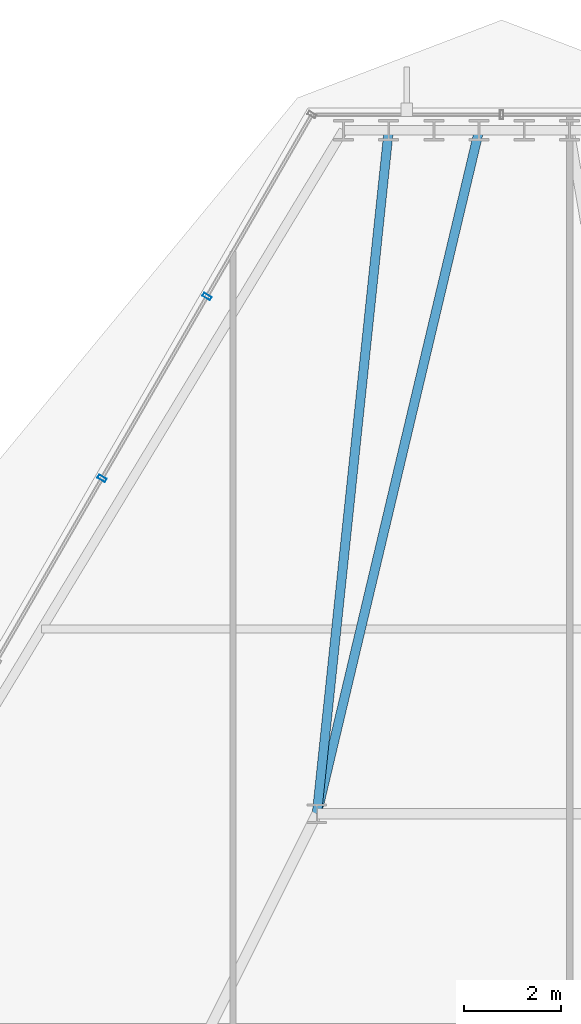
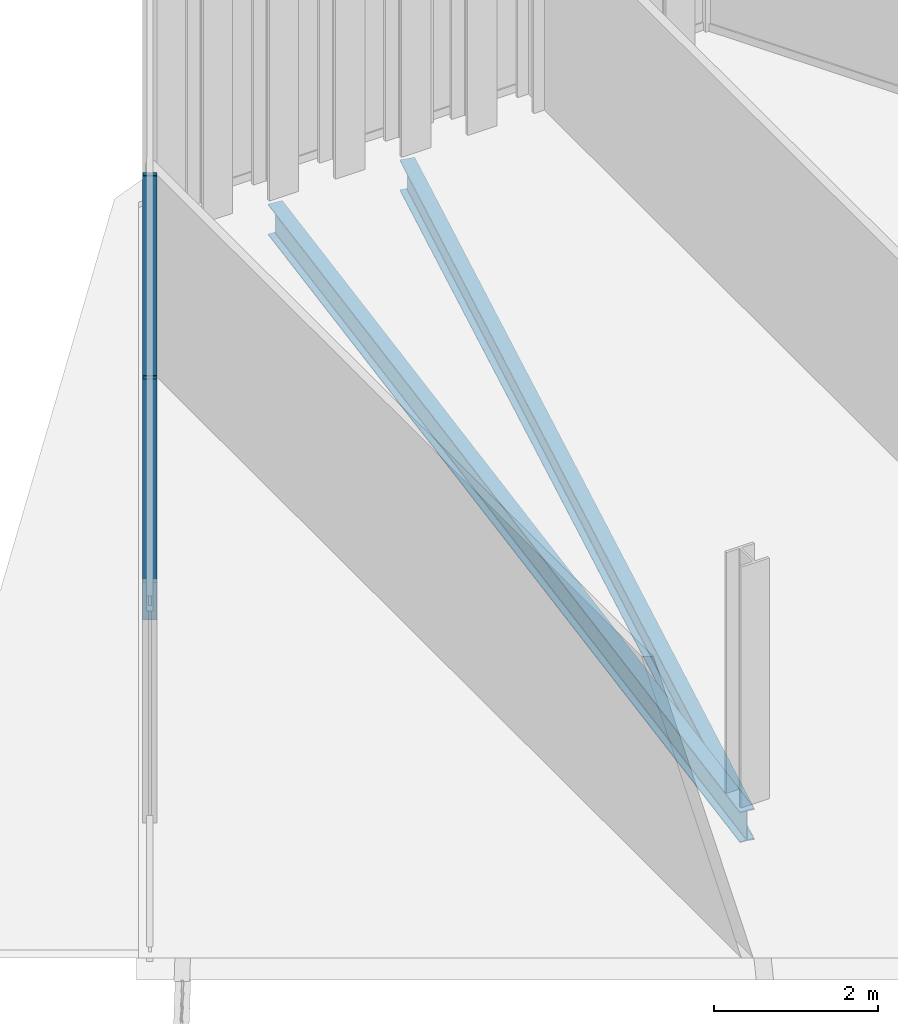
# One storey, part 25 of 37: 2 beams, 2 members, 1 element without a shape of its own.
"""IFC4 building model written with IfcOpenShell, lengths in metres."""

from ifc_helpers import new_model, si_unit, direction, frame, origin, origin_2d, place, context, subcontext, project, spatial, hollow_rectangle, i_section, extrude, material, layer, layer_set, material_profile, profile_set, type_object, element, aggregate, save


model = new_model("IFC4")

# Units and contexts
model_context = context("Model", 3, precision=1e-05, world=origin(), true_north=direction((0.0, 1.0)))
body_context = subcontext(model_context, "Body", "Model", "MODEL_VIEW")
ifc_project = project(units=[si_unit("LENGTHUNIT", "METRE"), si_unit("AREAUNIT", "SQUARE_METRE"), si_unit("VOLUMEUNIT", "CUBIC_METRE"), si_unit("PLANEANGLEUNIT", "RADIAN"), si_unit("MASSUNIT", "GRAM", prefix="KILO")], contexts=[model_context])

# Site, building, storey
site_placement = place(None, origin())
site = spatial("IfcSite", under=ifc_project, at=site_placement, CompositionType="ELEMENT")
building_placement = place(site_placement, origin())
building = spatial("IfcBuilding", under=site, at=building_placement, Name="Ndaravel Arena Tower", CompositionType="ELEMENT")
storey_placement = place(building_placement, frame((0.0, 0.0, 218.0)))
storey = spatial("IfcBuildingStorey", under=building, at=storey_placement, Name="L52", CompositionType="ELEMENT", Elevation=218.0)

# Beams
ifc_material_1 = material(Name="Steel S355", Category="steel")
ifc_material_profile_1 = material_profile(ifc_material_1, i_section(OverallWidth=0.19140625, OverallDepth=0.4599609375, WebThickness=0.010009765625, FlangeThickness=0.01611328125, FilletRadius=0.01025390625, at=origin_2d()), Name="UB 457x191x82")
ifc_profile_set_1 = profile_set([ifc_material_profile_1], Name="Steel S355")
beam_type = type_object("IfcBeamType", Name="BM-GIRD-UB457", PredefinedType="BEAM", material=ifc_profile_set_1)
beam_1_placement = place(storey_placement, frame((41.535400390625, 45.2578125, -0.449951171875), z_axis=(-0.23085668611, -0.972987764814, 0.0), x_axis=(0.972987764814, -0.23085668611, 0.0)))
element("IfcBeam", 1, at=beam_1_placement, inside=storey, type_object=beam_type, Name="L52 Radial Floor Girder FG-15", PredefinedType="BEAM", context=body_context, shape_type="SweptSolid", body=[
    extrude(i_section(OverallWidth=0.19140625, OverallDepth=0.4599609375, WebThickness=0.010009765625, FlangeThickness=0.01611328125, FilletRadius=0.01025390625, at=origin_2d()), origin(), (0.0, 0.0, 1.0), 14.4482421875),
])
beam_2_placement = place(storey_placement, frame((39.6767578125, 45.2578125, -0.449951171875), z_axis=(-0.104477094802, -0.99452729307, 0.0), x_axis=(0.99452729307, -0.104477094802, 0.0)))
element("IfcBeam", 2, at=beam_2_placement, inside=storey, type_object=beam_type, Name="L52 Radial Floor Girder FG-17", PredefinedType="BEAM", context=body_context, shape_type="SweptSolid", body=[
    extrude(i_section(OverallWidth=0.19140625, OverallDepth=0.4599609375, WebThickness=0.010009765625, FlangeThickness=0.01611328125, FilletRadius=0.01025390625, at=origin_2d()), origin(), (0.0, 0.0, 1.0), 14.13525390625),
])

# Curtain wall, members
ifc_material_2 = material(Name="Aluminium", Category="aluminium")
ifc_layer = layer(ifc_material_2, 0.179931640625)
ifc_layer_set = layer_set([ifc_layer], Name="Aluminium")
curtain_wall_type = type_object("IfcCurtainWallType", Name="CW-SYS-03", PredefinedType="NOTDEFINED", material=ifc_layer_set)
curtain_wall_placement = place(storey_placement, origin())
curtain_wall = element("IfcCurtainWall", 3, at=curtain_wall_placement, inside=storey, type_object=curtain_wall_type, Name="L52 Faceted Crystal Curtain Wall CW-L52-E05", PredefinedType="NOTDEFINED")
ifc_material_3 = material(Name="Aluminium", Category="aluminium")
ifc_material_profile_2 = material_profile(ifc_material_3, hollow_rectangle(XDim=0.074951171875, YDim=0.179931640625, WallThickness=0.00390625, at=origin_2d()), Name="CW MULLION 75x180x4")
ifc_profile_set_2 = profile_set([ifc_material_profile_2], Name="Aluminium")
member_type = type_object("IfcMemberType", Name="MEM-CW-MUL180", PredefinedType="MULLION", material=ifc_profile_set_2)
member_1_placement = place(storey_placement, frame((35.93896484375, 41.837890625, 0.0), z_axis=(0.0, 0.0, 1.0), x_axis=(-0.5, -0.866025403784, 0.0)))
member_1 = element("IfcMember", 4, at=member_1_placement, type_object=member_type, Name="CW-L52-E05 Mullion 01", PredefinedType="MULLION", context=body_context, shape_type="SweptSolid", body=[
    extrude(hollow_rectangle(XDim=0.074951171875, YDim=0.179931640625, WallThickness=0.00390625, at=origin_2d()), origin(), (0.0, 0.0, 1.0), 3.580078125),
])
member_2_placement = place(storey_placement, frame((33.77978515625, 38.097900390625, 0.0), z_axis=(0.0, 0.0, 1.0), x_axis=(-0.5, -0.866025403784, 0.0)))
member_2 = element("IfcMember", 5, at=member_2_placement, type_object=member_type, Name="CW-L52-E05 Mullion 02", PredefinedType="MULLION", context=body_context, shape_type="SweptSolid", body=[
    extrude(hollow_rectangle(XDim=0.074951171875, YDim=0.179931640625, WallThickness=0.00390625, at=origin_2d()), origin(), (0.0, 0.0, 1.0), 3.580078125),
])
aggregate(curtain_wall, [member_1, member_2])

save(model, "model.ifc")
